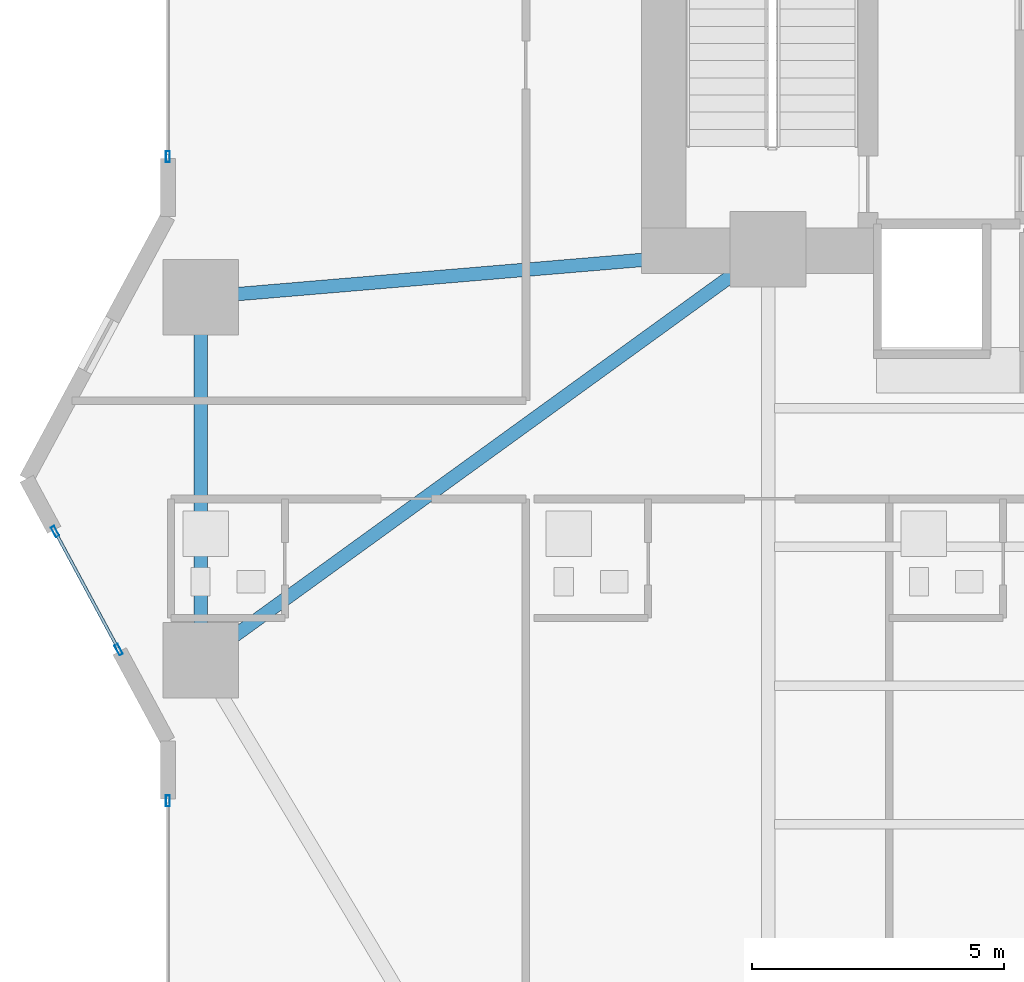
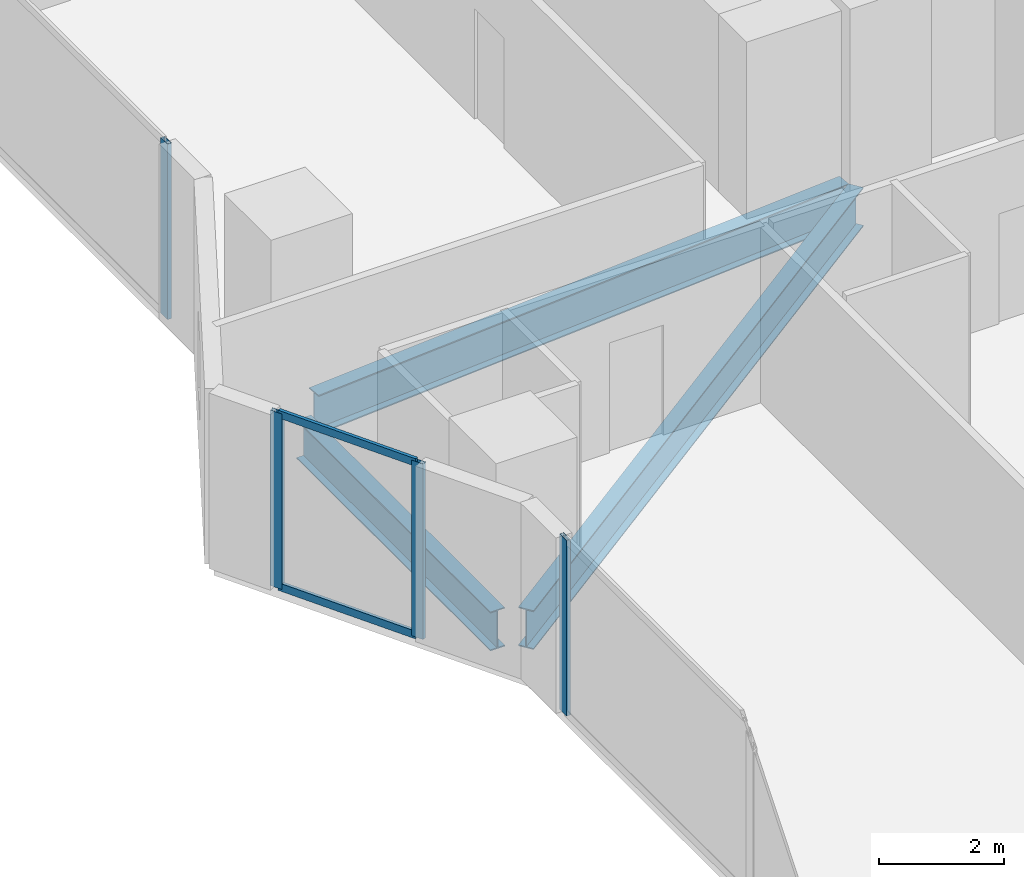
# One storey, part 6 of 28: 6 members, 3 beams, 3 elements without a shape of their own.
"""IFC4 building model written with IfcOpenShell, lengths in metres."""

from ifc_helpers import new_model, si_unit, direction, frame, origin, origin_2d, place, context, subcontext, project, spatial, hollow_rectangle, i_section, extrude, material, layer, layer_set, material_profile, profile_set, type_object, element, aggregate, save


model = new_model("IFC4")

# Units and contexts
model_context = context("Model", 3, precision=1e-05, world=origin(), true_north=direction((0.0, 1.0)))
body_context = subcontext(model_context, "Body", "Model", "MODEL_VIEW")
ifc_project = project(units=[si_unit("LENGTHUNIT", "METRE"), si_unit("AREAUNIT", "SQUARE_METRE"), si_unit("VOLUMEUNIT", "CUBIC_METRE"), si_unit("PLANEANGLEUNIT", "RADIAN"), si_unit("MASSUNIT", "GRAM", prefix="KILO")], contexts=[model_context])

# Site, building, storey
site_placement = place(None, origin())
site = spatial("IfcSite", under=ifc_project, at=site_placement, CompositionType="ELEMENT")
building_placement = place(site_placement, origin())
building = spatial("IfcBuilding", under=site, at=building_placement, Name="Zuhayl Quay Hotel", CompositionType="ELEMENT")
storey_placement = place(building_placement, frame((0.0, 0.0, 53.14990234375)))
storey = spatial("IfcBuildingStorey", under=building, at=storey_placement, Name="L12", CompositionType="ELEMENT", Elevation=53.14990234375)

# Beams
ifc_material_1 = material(Name="Steel ASTM A992 Grade 50", Category="steel")
ifc_material_profile_1 = material_profile(ifc_material_1, i_section(OverallWidth=0.26708984375, OverallDepth=0.761962890625, WebThickness=0.014404296875, FlangeThickness=0.021484375, at=origin_2d()), Name="W30X116")
ifc_profile_set_1 = profile_set([ifc_material_profile_1], Name="Steel ASTM A992 Grade 50")
beam_type = type_object("IfcBeamType", Name="BM_B1_W30X116", PredefinedType="BEAM", material=ifc_profile_set_1)
beam_1_placement = place(storey_placement, frame((-25.050048828125, 3.10009765625, -0.600830078125), z_axis=(0.0, -1.0, 0.0), x_axis=(1.0, 0.0, 0.0)))
element("IfcBeam", 1, at=beam_1_placement, inside=storey, type_object=beam_type, Name="L12 Floor Beam RG_L12_11", PredefinedType="BEAM", context=body_context, shape_type="SweptSolid", body=[
    extrude(i_section(OverallWidth=0.26708984375, OverallDepth=0.761962890625, WebThickness=0.014404296875, FlangeThickness=0.021484375, at=origin_2d()), origin(), (0.0, 0.0, 1.0), 6.2001953125),
])
beam_2_placement = place(storey_placement, frame((-24.64501953125, -3.306640625, -0.600830078125), z_axis=(0.809830244688, 0.586664277751, 0.0), x_axis=(-0.586664277751, 0.809830244688, 0.0)))
element("IfcBeam", 2, at=beam_2_placement, inside=storey, type_object=beam_type, Name="L12 Floor Beam FG_W_L12_1", PredefinedType="BEAM", context=body_context, shape_type="SweptSolid", body=[
    extrude(i_section(OverallWidth=0.26708984375, OverallDepth=0.761962890625, WebThickness=0.014404296875, FlangeThickness=0.021484375, at=origin_2d()), origin(), (0.0, 0.0, 1.0), 12.94189453125),
])
beam_3_placement = place(storey_placement, frame((-24.5517578125, 3.64208984375, -0.600830078125), z_axis=(0.996453145398, 0.084149444594, 0.0), x_axis=(-0.084149444594, 0.996453145398, 0.0)))
element("IfcBeam", 3, at=beam_3_placement, inside=storey, type_object=beam_type, Name="L12 Floor Beam FG_W_L12_2", PredefinedType="BEAM", context=body_context, shape_type="SweptSolid", body=[
    extrude(i_section(OverallWidth=0.26708984375, OverallDepth=0.761962890625, WebThickness=0.014404296875, FlangeThickness=0.021484375, at=origin_2d()), origin(), (0.0, 0.0, 1.0), 10.340087890625),
])

# Curtain wall, member
ifc_material_2 = material(Name="Anodised Aluminium 6063-T6", Category="aluminium")
ifc_layer = layer(ifc_material_2, 0.18994140625, Name="Anodised Aluminium 6063-T6", Category="aluminium")
ifc_layer_set = layer_set([ifc_layer], Name="Anodised Aluminium 6063-T6")
curtain_wall_type = type_object("IfcCurtainWallType", Name="CW_SYS_Z1", PredefinedType="USERDEFINED", material=ifc_layer_set)
curtain_wall_1_placement = place(storey_placement, origin())
curtain_wall_1 = element("IfcCurtainWall", 4, at=curtain_wall_1_placement, inside=storey, type_object=curtain_wall_type, Name="L12 Curtain Wall ENV_L12_E02_CW1", ObjectType="UNITISED CURTAIN WALL", PredefinedType="USERDEFINED")
ifc_material_3 = material(Name="Black-anodised aluminium 6063-T6", Category="aluminium")
ifc_material_profile_2 = material_profile(ifc_material_3, hollow_rectangle(XDim=0.074951171875, YDim=0.219970703125, WallThickness=0.00390625, at=origin_2d()), Name="ALU220X75")
ifc_profile_set_2 = profile_set([ifc_material_profile_2], Name="Black-anodised aluminium 6063-T6")
member_type_1 = type_object("IfcMemberType", Name="MB_CW_MUL_220", PredefinedType="MULLION", material=ifc_profile_set_2)
member_1_placement = place(storey_placement, frame((-25.699951171875, -6.387451171875, 0.0), z_axis=(0.0, 0.0, 1.0), x_axis=(-1.0, 0.0, 0.0)))
member_1 = element("IfcMember", 5, at=member_1_placement, type_object=member_type_1, Name="CW-Z1 mullion 3", PredefinedType="MULLION", context=body_context, shape_type="SweptSolid", body=[
    extrude(hollow_rectangle(XDim=0.074951171875, YDim=0.219970703125, WallThickness=0.00390625, at=origin_2d()), origin(), (0.0, 0.0, 1.0), 3.43017578125),
])
aggregate(curtain_wall_1, [member_1])

# Curtain wall, members
curtain_wall_2_placement = place(storey_placement, origin())
curtain_wall_2 = element("IfcCurtainWall", 6, at=curtain_wall_2_placement, inside=storey, type_object=curtain_wall_type, Name="L12 Curtain Wall ENV_L12_E03_CW1", ObjectType="UNITISED CURTAIN WALL", PredefinedType="USERDEFINED")
member_2_placement = place(storey_placement, frame((-26.67578125, -3.387939453125, 0.0), z_axis=(0.0, 0.0, 1.0), x_axis=(-0.880475795468, -0.474091102632, 0.0)))
member_2 = element("IfcMember", 7, at=member_2_placement, type_object=member_type_1, Name="CW-Z1 mullion 1", PredefinedType="MULLION", context=body_context, shape_type="SweptSolid", body=[
    extrude(hollow_rectangle(XDim=0.074951171875, YDim=0.219970703125, WallThickness=0.00390625, at=origin_2d()), origin(), (0.0, 0.0, 1.0), 3.43017578125),
])
member_3_placement = place(storey_placement, frame((-27.93701171875, -1.04541015625, 0.0), z_axis=(0.0, 0.0, 1.0), x_axis=(-0.880475795468, -0.474091102632, 0.0)))
member_3 = element("IfcMember", 8, at=member_3_placement, type_object=member_type_1, Name="CW-Z1 mullion 2", PredefinedType="MULLION", context=body_context, shape_type="SweptSolid", body=[
    extrude(hollow_rectangle(XDim=0.074951171875, YDim=0.219970703125, WallThickness=0.00390625, at=origin_2d()), origin(), (0.0, 0.0, 1.0), 3.43017578125),
])

# Curtain wall, member
curtain_wall_3_placement = place(storey_placement, origin())
curtain_wall_3 = element("IfcCurtainWall", 9, at=curtain_wall_3_placement, inside=storey, type_object=curtain_wall_type, Name="L12 Curtain Wall ENV_L12_E05_CW1", ObjectType="UNITISED CURTAIN WALL", PredefinedType="USERDEFINED")
member_4_placement = place(storey_placement, frame((-25.699951171875, 6.387451171875, 0.0), z_axis=(0.0, 0.0, 1.0), x_axis=(-1.0, 0.0, 0.0)))
member_4 = element("IfcMember", 10, at=member_4_placement, type_object=member_type_1, Name="CW-Z1 mullion 1", PredefinedType="MULLION", context=body_context, shape_type="SweptSolid", body=[
    extrude(hollow_rectangle(XDim=0.074951171875, YDim=0.219970703125, WallThickness=0.00390625, at=origin_2d()), origin(), (0.0, 0.0, 1.0), 3.43017578125),
])
aggregate(curtain_wall_3, [member_4])

# Member
ifc_material_profile_3 = material_profile(ifc_material_3, hollow_rectangle(XDim=0.06005859375, YDim=0.14990234375, WallThickness=0.00341796875, at=origin_2d()), Name="ALU150X60")
ifc_profile_set_3 = profile_set([ifc_material_profile_3], Name="Black-anodised aluminium 6063-T6")
member_type_2 = type_object("IfcMemberType", Name="MB_CW_TRN_150", PredefinedType="USERDEFINED", material=ifc_profile_set_3)
member_5_placement = place(storey_placement, frame((-26.693603515625, -3.35498046875, 0.030029296875), z_axis=(-0.474054771703, 0.880495356845, 0.0), x_axis=(-0.880495356845, -0.474054771703, 0.0)))
member_5 = element("IfcMember", 11, at=member_5_placement, type_object=member_type_2, Name="CW-Z1 transom 1.1", ObjectType="TRANSOM", PredefinedType="USERDEFINED", context=body_context, shape_type="SweptSolid", body=[
    extrude(hollow_rectangle(XDim=0.06005859375, YDim=0.14990234375, WallThickness=0.00341796875, at=origin_2d()), origin(), (0.0, 0.0, 1.0), 2.585205078125),
])

member_6_placement = place(storey_placement, frame((-26.693603515625, -3.35498046875, 3.400146484375), z_axis=(-0.474054771703, 0.880495356845, 0.0), x_axis=(-0.880495356845, -0.474054771703, 0.0)))
member_6 = element("IfcMember", 12, at=member_6_placement, type_object=member_type_2, Name="CW-Z1 transom 1.2", ObjectType="TRANSOM", PredefinedType="USERDEFINED", context=body_context, shape_type="SweptSolid", body=[
    extrude(hollow_rectangle(XDim=0.06005859375, YDim=0.14990234375, WallThickness=0.00341796875, at=origin_2d()), origin(), (0.0, 0.0, 1.0), 2.585205078125),
])

aggregate(curtain_wall_2, [member_2, member_3, member_5, member_6])

save(model, "model.ifc")
